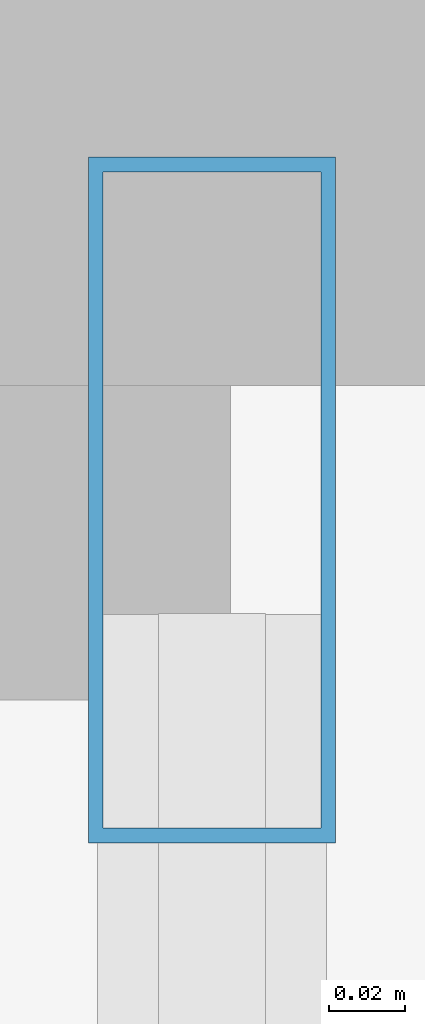
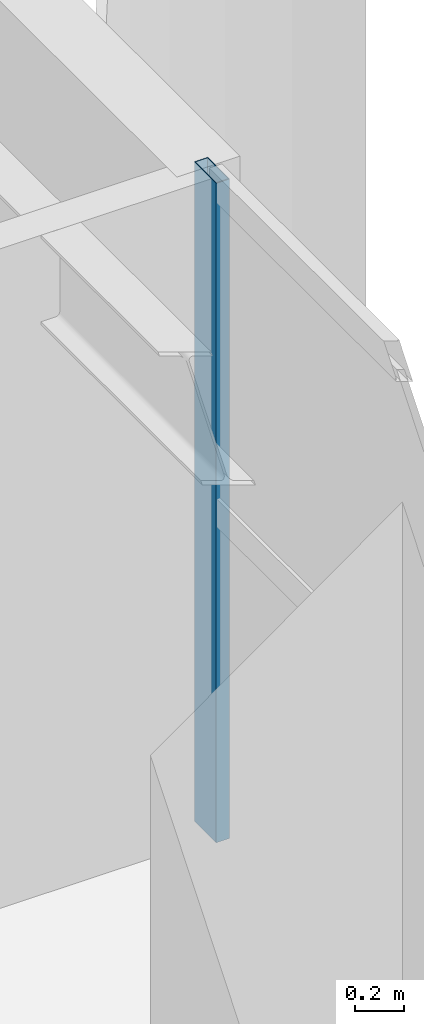
# One storey, part 8 of 18: 1 member, 1 element without a shape of its own.
"""IFC4 building model written with IfcOpenShell, lengths in metres."""

from ifc_helpers import new_model, si_unit, direction, frame, origin, origin_2d, place, context, subcontext, project, spatial, hollow_rectangle, extrude, source, transform, mapped, material, layer, layer_set, material_profile, profile_set, type_object, element, aggregate, save


model = new_model("IFC4")

# Units and contexts
model_context = context("Model", 3, precision=1e-05, world=origin(), true_north=direction((0.0, 1.0)))
body_context = subcontext(model_context, "Body", "Model", "MODEL_VIEW")
ifc_project = project(units=[si_unit("LENGTHUNIT", "METRE"), si_unit("AREAUNIT", "SQUARE_METRE"), si_unit("VOLUMEUNIT", "CUBIC_METRE"), si_unit("PLANEANGLEUNIT", "RADIAN"), si_unit("MASSUNIT", "GRAM", prefix="KILO")], contexts=[model_context])

# Site, building, storey
site_placement = place(None, origin())
site = spatial("IfcSite", under=ifc_project, at=site_placement, CompositionType="ELEMENT")
building_placement = place(site_placement, origin())
building = spatial("IfcBuilding", under=site, at=building_placement, Name="Khoralis Quay Care Tower", CompositionType="ELEMENT")
storey_placement = place(building_placement, frame((0.0, 0.0, 47.699951171875)))
storey = spatial("IfcBuildingStorey", under=building, at=storey_placement, Name="L12", CompositionType="ELEMENT", Elevation=47.699951171875)

# Curtain wall, member
ifc_material = material(Name="Pale anodised aluminium", Category="aluminium")
ifc_layer = layer(ifc_material, 0.179931640625)
ifc_layer_set = layer_set([ifc_layer], Name="Pale anodised aluminium")
curtain_wall_type = type_object("IfcCurtainWallType", Name="CW-SYS-Z1", PredefinedType="NOTDEFINED", material=ifc_layer_set)
curtain_wall_placement = place(storey_placement, origin())
curtain_wall = element("IfcCurtainWall", 1, at=curtain_wall_placement, inside=storey, type_object=curtain_wall_type, Name="L12 Unitised Curtain Wall CW-L12-P1-E5", PredefinedType="NOTDEFINED")
ifc_material_profile = material_profile(ifc_material, hollow_rectangle(XDim=0.06494140625, YDim=0.179931640625, WallThickness=0.00390625, at=origin_2d()), Name="Pale anodised aluminium")
ifc_profile_set = profile_set([ifc_material_profile], Name="Pale anodised aluminium")
member_type = type_object("IfcMemberType", Name="CW-MUL-180", PredefinedType="MULLION", material=ifc_profile_set)
shared_shape = source(origin(), body_context, "Body", "SweptSolid", [
    extrude(hollow_rectangle(XDim=0.06494140625, YDim=0.179931640625, WallThickness=0.00390625, at=origin_2d()), origin(), (0.0, 0.0, 1.0), 3.320068359375),
])
member_placement = place(storey_placement, frame((47.85009765625, 32.429931640625, 0.0), z_axis=(0.0, 0.0, 1.0), x_axis=(-1.0, 0.0, 0.0)))
member = element("IfcMember", 2, at=member_placement, type_object=member_type, Name="CW1 mullion 6", PredefinedType="MULLION", context=body_context, shape_type="MappedRepresentation", body=[
    mapped(shared_shape, transform((0.0, 0.0, 0.0), scale=1.0)),
])
aggregate(curtain_wall, [member])

save(model, "model.ifc")
